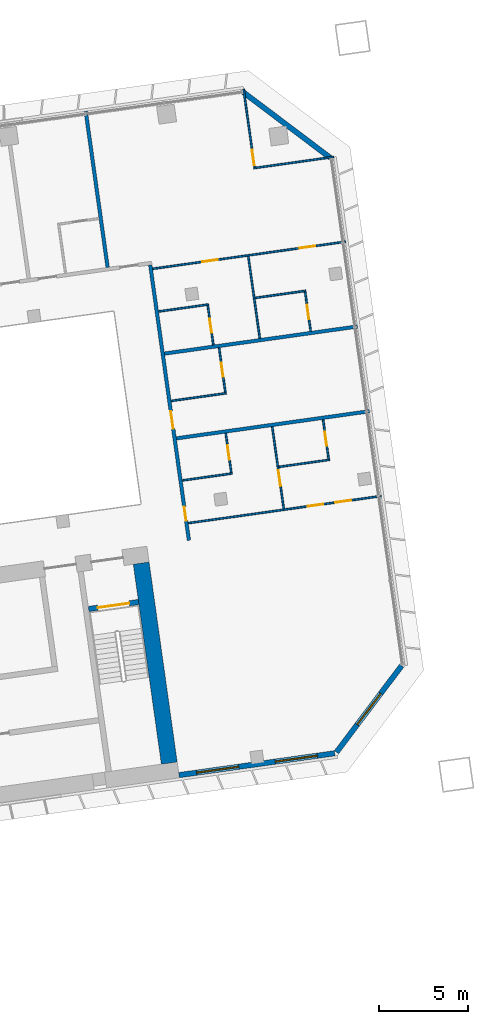
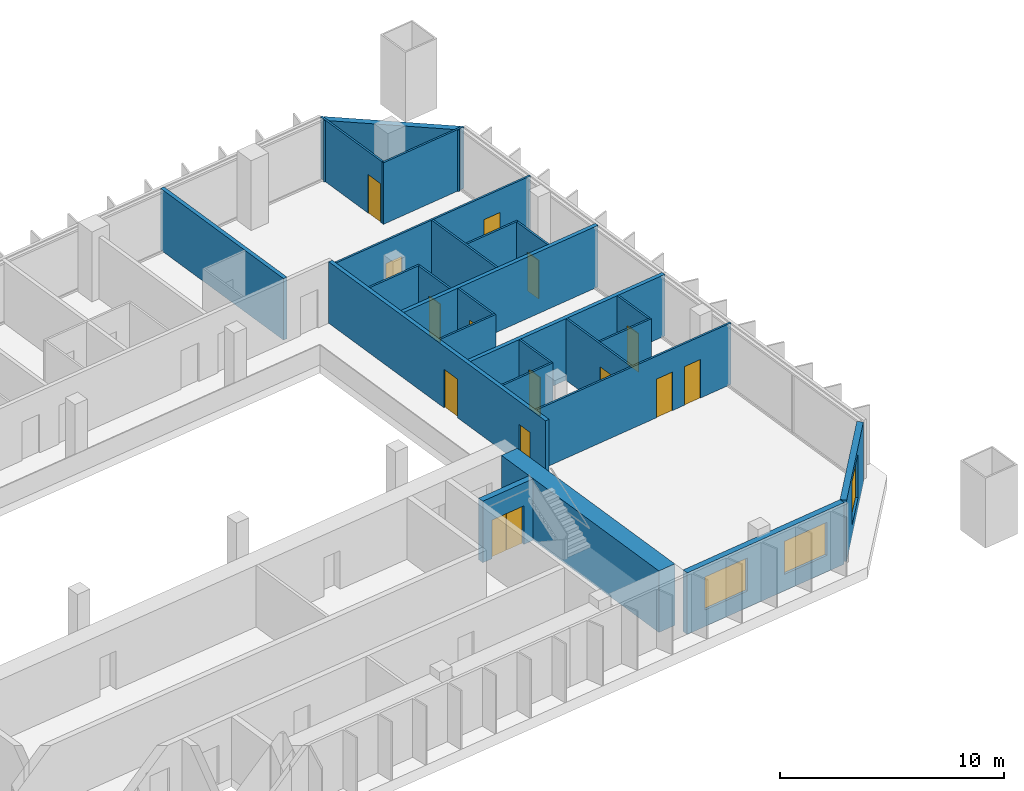
# One storey, part 22 of 25: 25 walls, 14 doors, 3 windows, 17 openings.
"""IFC4 building model written with IfcOpenShell, lengths in metres."""

import ifcopenshell
import ifcopenshell.guid

model = None  # the IFC model being written
_history = None  # IfcOwnerHistory: only IFC2X3 demands one
_inside = {}  # id of a spatial element -> (the spatial element, [elements in it])
_under = {}  # id of a project, library or spatial element -> (it, [spatial elements below it])
_declared = {}  # id of a project -> (the project, [libraries it declares])
_typed = {}  # id of a type object -> (the type object, [elements of that type])
_made_of = {}  # id of a material, layer set ... -> (it, [elements and type objects made of it])


def new_model(schema):
    """Start an empty IFC model of exactly this schema.

    Asked for "IFC4X3", IfcOpenShell would pick the latest addendum, in which some entities
    have other attributes; the version numbers below select the first issue.
    IFC2X3 requires an IfcOwnerHistory on every rooted entity: one is made here for all.
    """
    global model, _history
    if schema == "IFC4X3":
        model = ifcopenshell.file(schema_version=(4, 3, 0, 0))
    else:
        model = ifcopenshell.file(schema=schema)
    _inside.clear()
    _under.clear()
    _declared.clear()
    _typed.clear()
    _made_of.clear()
    _history = None
    if model.schema == "IFC2X3":
        org = make("IfcOrganization", Name="unknown")
        user = make(
            "IfcPersonAndOrganization",
            ThePerson=make("IfcPerson", FamilyName="unknown"),
            TheOrganization=org,
        )
        app = make(
            "IfcApplication",
            ApplicationDeveloper=org,
            Version="unknown",
            ApplicationFullName="unknown",
            ApplicationIdentifier="unknown",
        )
        _history = make(
            "IfcOwnerHistory",
            OwningUser=user,
            OwningApplication=app,
            ChangeAction="ADDED",
            CreationDate=0,
        )
    return model


def make(cls, **values):
    """One entity of the class cls with the attributes given. An attribute that is None is left unset."""
    return model.create_entity(
        cls, **{name: value for name, value in values.items() if value is not None}
    )


def rooted(cls, **values):
    """An entity with a GlobalId (a new one), such as an element, a storey or a relation."""
    return make(cls, GlobalId=ifcopenshell.guid.new(), OwnerHistory=_history, **values)


def si_unit(unit_type, name, prefix=None):
    """IfcSIUnit, for example si_unit("LENGTHUNIT", "METRE", prefix="MILLI")."""
    return make("IfcSIUnit", UnitType=unit_type, Prefix=prefix, Name=name)


def assignment(units):
    """IfcUnitAssignment: the units of a project."""
    return None if units is None else make("IfcUnitAssignment", Units=units)


def point(xyz):
    """IfcCartesianPoint."""
    return None if xyz is None else make("IfcCartesianPoint", Coordinates=xyz)


def direction(xyz):
    """IfcDirection."""
    return None if xyz is None else make("IfcDirection", DirectionRatios=xyz)


def frame(location, z_axis=None, x_axis=None):
    """IfcAxis2Placement3D, a coordinate frame: its origin and axes. An axis left out is left unset."""
    return make(
        "IfcAxis2Placement3D",
        Location=point(location),
        Axis=direction(z_axis),
        RefDirection=direction(x_axis),
    )


def frame_2d(location, x_axis=None):
    """IfcAxis2Placement2D, a coordinate frame in the plane: its origin and x axis."""
    return make(
        "IfcAxis2Placement2D", Location=point(location), RefDirection=direction(x_axis)
    )


def origin():
    """The frame at (0, 0, 0) with its axes left unset."""
    return frame((0.0, 0.0, 0.0))


def place(relative_to, where):
    """IfcLocalPlacement: puts the frame where relative to a parent placement (None: the world)."""
    return make(
        "IfcLocalPlacement", PlacementRelTo=relative_to, RelativePlacement=where
    )


def context(
    kind, dimensions, precision=None, world=None, true_north=None, identifier=None
):
    """IfcGeometricRepresentationContext, for example the 3D "Model" context."""
    return make(
        "IfcGeometricRepresentationContext",
        ContextIdentifier=identifier,
        ContextType=kind,
        CoordinateSpaceDimension=dimensions,
        Precision=precision,
        WorldCoordinateSystem=world,
        TrueNorth=true_north,
    )


def subcontext(parent, identifier, kind, view, scale=None):
    """IfcGeometricRepresentationSubContext, for example "Body" below "Model"."""
    return make(
        "IfcGeometricRepresentationSubContext",
        ContextIdentifier=identifier,
        ContextType=kind,
        ParentContext=parent,
        TargetScale=scale,
        TargetView=view,
    )


def project(units=None, contexts=None):
    """IfcProject with its units and contexts."""
    return rooted(
        "IfcProject",
        Name="project",
        RepresentationContexts=contexts,
        UnitsInContext=assignment(units),
    )


def spatial(cls, under=None, at=None, **own):
    """A site, building, storey or space (cls), placed at a placement, below another one or the project."""
    s = rooted(cls, ObjectPlacement=at, **own)
    if under is not None:
        _under.setdefault(under.id(), (under, []))[1].append(s)
    return s


def profile(cls, at=None, kind="AREA", **sizes):
    """A parametric profile (cls). Its sizes go by their IFC names, for example OverallWidth=200.0."""
    return make(cls, ProfileType=kind, Position=at, **sizes)


def rectangle(**sizes):
    """IfcRectangleProfileDef."""
    return profile("IfcRectangleProfileDef", **sizes)


def extrude(swept, where, along, depth):
    """IfcExtrudedAreaSolid: the profile swept, set in the frame where, extruded along a direction by depth."""
    return make(
        "IfcExtrudedAreaSolid",
        SweptArea=swept,
        Position=where,
        ExtrudedDirection=direction(along),
        Depth=depth,
    )


def shape(context_of_items, identifier, shape_type, items):
    """IfcShapeRepresentation: the items that make up one representation, for example the "Body"."""
    return make(
        "IfcShapeRepresentation",
        ContextOfItems=context_of_items,
        RepresentationIdentifier=identifier,
        RepresentationType=shape_type,
        Items=items,
    )


def material(Name=None, Category=None):
    """IfcMaterial."""
    return make("IfcMaterial", Name=Name, Category=Category)


def layer(
    of_material, thickness, ventilated=None, Name=None, Category=None, Priority=None
):
    """IfcMaterialLayer: one layer of a wall or slab, of a material (None: an air gap)."""
    return make(
        "IfcMaterialLayer",
        Material=of_material,
        LayerThickness=thickness,
        IsVentilated=ventilated,
        Name=Name,
        Category=Category,
        Priority=Priority,
    )


def layer_set(layers, Name=None):
    """IfcMaterialLayerSet."""
    return make("IfcMaterialLayerSet", MaterialLayers=layers, LayerSetName=Name)


def made_of(thing, what):
    """Note that an element or type object is made of a material, layer set ...; save() writes the relation."""
    if what is not None:
        _made_of.setdefault(what.id(), (what, []))[1].append(thing)
    return thing


def type_object(cls, material=None, **own):
    """A type object (cls), such as IfcWallType, which elements share."""
    return made_of(rooted(cls, **own), material)


def element(
    cls,
    number,
    at=None,
    inside=None,
    cuts=None,
    type_object=None,
    material=None,
    context=None,
    identifier="Body",
    shape_type=None,
    held_by="IfcProductDefinitionShape",
    body=None,
    shapes=None,
    **own,
):
    """One element of the class cls, such as IfcWall. Its Tag is "e" and its number.

    at: its placement. inside: the storey or other place that contains it. cuts: it is an
    opening in that element (IfcRelVoidsElement). A single representation is given by context,
    identifier, shape_type and body (its items); several are given by shapes. held_by: the class
    of the entity that holds the representations. save() writes the other relations.
    """
    e = rooted(cls, Tag="e%d" % number, ObjectPlacement=at, **own)
    if body is not None:
        shapes = [shape(context, identifier, shape_type, body)]
    if shapes is not None:
        e.Representation = make(held_by, Representations=shapes)
    if inside is not None:
        _inside.setdefault(inside.id(), (inside, []))[1].append(e)
    if cuts is not None:
        rooted(
            "IfcRelVoidsElement", RelatingBuildingElement=cuts, RelatedOpeningElement=e
        )
    if type_object is not None:
        _typed.setdefault(type_object.id(), (type_object, []))[1].append(e)
    return made_of(e, material)


def fill(opening, filler):
    """IfcRelFillsElement: the door or window that sits in an opening."""
    return rooted(
        "IfcRelFillsElement",
        RelatingOpeningElement=opening,
        RelatedBuildingElement=filler,
    )


def aggregate(whole, parts):
    """IfcRelAggregates: a whole, such as a stair, and the parts it consists of."""
    return rooted("IfcRelAggregates", RelatingObject=whole, RelatedObjects=parts)


def save(model, path):
    """Write the relations noted so far, then the file.

    IfcRelAggregates (storeys below a building ...), IfcRelContainedInSpatialStructure (elements
    in a storey), IfcRelDefinesByType, IfcRelAssociatesMaterial and IfcRelDeclares: one each for
    every whole, place, type object, material and project.
    """
    for whole, parts in _under.values():
        aggregate(whole, parts)
    for where, things in _inside.values():
        rooted(
            "IfcRelContainedInSpatialStructure",
            RelatedElements=things,
            RelatingStructure=where,
        )
    for kind, things in _typed.values():
        rooted("IfcRelDefinesByType", RelatedObjects=things, RelatingType=kind)
    for what, things in _made_of.values():
        rooted("IfcRelAssociatesMaterial", RelatedObjects=things, RelatingMaterial=what)
    for by, libraries in _declared.values():
        rooted("IfcRelDeclares", RelatingContext=by, RelatedDefinitions=libraries)
    model.write(path)


model = new_model("IFC4")

# Units and contexts
model_context = context("Model", 3, precision=1e-05, world=origin(), true_north=direction((0.0, 1.0)))
body_context = subcontext(model_context, "Body", "Model", "MODEL_VIEW")
ifc_project = project(units=[si_unit("LENGTHUNIT", "METRE"), si_unit("AREAUNIT", "SQUARE_METRE"), si_unit("VOLUMEUNIT", "CUBIC_METRE"), si_unit("PLANEANGLEUNIT", "RADIAN"), si_unit("MASSUNIT", "GRAM", prefix="KILO")], contexts=[model_context])

# Site, building, storey
site_placement = place(None, origin())
site = spatial("IfcSite", under=ifc_project, at=site_placement, CompositionType="ELEMENT")
building_placement = place(site_placement, origin())
building = spatial("IfcBuilding", under=site, at=building_placement, Name="Mirante Cascada Hotel Towers", CompositionType="ELEMENT")
storey_placement = place(building_placement, frame((0.0, 0.0, 69.9)))
storey = spatial("IfcBuildingStorey", under=building, at=storey_placement, Name="L14", CompositionType="ELEMENT", Elevation=69.9)

# Walls
ifc_material_1 = material(Name="Fire-rated plasterboard on metal studs")
ifc_layer_1 = layer(ifc_material_1, 0.2)
ifc_layer_set_1 = layer_set([ifc_layer_1], Name="Compartment wall 200 EI 120")
wall_type_1 = type_object("IfcWallType", Name="Compartment wall 200 EI 120", PredefinedType="PARTITIONING", material=ifc_layer_set_1)
for number, where, z_axis, x_axis, name in (
    (1, (90.4064, 6.4896, 0.0), (0.0, 0.0, 1.0), (0.990268, 0.1391733, 0.0), "Wall 2-L14-07"),
    (2, (100.6266, 12.8067, 0.0), (0.0, 0.0, 1.0), (-0.990268, -0.1391733, 0.0), "Wall 2-L14-12"),
):
    element("IfcWall", number, at=place(storey_placement, frame(where, z_axis=z_axis, x_axis=x_axis)), inside=storey, type_object=wall_type_1, Name=name, PredefinedType="PARTITIONING", context=body_context, shape_type="SweptSolid", body=[
        extrude(rectangle(XDim=11.0, YDim=0.2, at=frame_2d((5.5, 0.0))), origin(), (0.0, 0.0, 1.0), 3.35),
    ])
wall_1_placement = place(storey_placement, frame((86.525, 16.1433, 0.0), z_axis=(0.0, 0.0, 1.0), x_axis=(-0.1391684, 0.9902687, 0.0)))
element("IfcWall", 3, at=wall_1_placement, inside=storey, type_object=wall_type_1, Name="Wall 2-L14-51", PredefinedType="PARTITIONING", context=body_context, shape_type="SweptSolid", body=[
    extrude(rectangle(XDim=8.9, YDim=0.2, at=frame_2d((4.45, 0.0))), origin(), (0.0, 0.0, 1.0), 3.35),
])

# Wall, openings, doors
wall_2_placement = place(storey_placement, frame((88.9295, 16.2793, 0.0), z_axis=(0.0, 0.0, 1.0), x_axis=(0.1391721, -0.9902682, 0.0)))
wall_2 = element("IfcWall", 4, at=wall_2_placement, inside=storey, type_object=wall_type_1, Name="Wall 2-L14-52", PredefinedType="PARTITIONING", context=body_context, shape_type="SweptSolid", body=[
    extrude(rectangle(XDim=15.7, YDim=0.2, at=frame_2d((7.85, 0.0))), origin(), (0.0, 0.0, 1.0), 3.35),
])
opening_1_placement = place(wall_2_placement, frame((13.7833, 0.0, 0.0)))
opening_1 = element("IfcOpeningElement", 5, at=opening_1_placement, cuts=wall_2, Name="Opening D2-L14-34", PredefinedType="OPENING", context=body_context, shape_type="SweptSolid", body=[
    extrude(rectangle(XDim=0.8, YDim=2.1, at=frame_2d((0.4, 1.05))), frame((0.0, 0.1, 0.0), z_axis=(0.0, -1.0, 0.0), x_axis=(1.0, 0.0, 0.0)), (0.0, 0.0, 1.0), 0.2),
])
opening_2_placement = place(wall_2_placement, frame((8.3333, 0.0, 0.0)))
opening_2 = element("IfcOpeningElement", 6, at=opening_2_placement, cuts=wall_2, Name="Opening D2-L14-35", PredefinedType="OPENING", context=body_context, shape_type="SweptSolid", body=[
    extrude(rectangle(XDim=1.0, YDim=2.1, at=frame_2d((0.5, 1.05))), frame((0.0, 0.1, 0.0), z_axis=(0.0, -1.0, 0.0), x_axis=(1.0, 0.0, 0.0)), (0.0, 0.0, 1.0), 0.2),
])
ifc_material_2 = material(Name="Fire-rated timber door leaf", Category="wood")
door_type_1 = type_object("IfcDoorType", Name="Bathroom door DG4 800x2100 EI 60", OperationType="SINGLE_SWING_LEFT", PredefinedType="DOOR", material=ifc_material_2)
door_1_placement = place(opening_1_placement, frame((0.8, 0.0, 0.0), z_axis=(0.0, 0.0, 1.0), x_axis=(-1.0, 0.0, 0.0)))
door_1 = element("IfcDoor", 7, at=door_1_placement, inside=storey, type_object=door_type_1, Name="Door D2-L14-34", OperationType="SINGLE_SWING_RIGHT", OverallHeight=2.1, OverallWidth=0.8, PredefinedType="DOOR", context=body_context, shape_type="SweptSolid", body=[
    extrude(rectangle(XDim=0.8, YDim=2.1, at=frame_2d((0.4, 1.05))), frame((0.0, 0.025, 0.0), z_axis=(0.0, -1.0, 0.0), x_axis=(1.0, 0.0, 0.0)), (0.0, 0.0, 1.0), 0.05),
])
fill(opening_1, door_1)
ifc_material_3 = material(Name="Fire-rated timber door leaf", Category="wood")
door_type_2 = type_object("IfcDoorType", Name="Entrance door DG1 1000x2100 EI 60", OperationType="SINGLE_SWING_LEFT", PredefinedType="DOOR", material=ifc_material_3)
door_2_placement = place(opening_2_placement, origin())
door_2 = element("IfcDoor", 8, at=door_2_placement, inside=storey, type_object=door_type_2, Name="Door D2-L14-35", OperationType="SINGLE_SWING_LEFT", OverallHeight=2.1, OverallWidth=1.0, PredefinedType="DOOR", context=body_context, shape_type="SweptSolid", body=[
    extrude(rectangle(XDim=1.0, YDim=2.1, at=frame_2d((0.5, 1.05))), frame((0.0, 0.025, 0.0), z_axis=(0.0, -1.0, 0.0), x_axis=(1.0, 0.0, 0.0)), (0.0, 0.0, 1.0), 0.05),
])
fill(opening_2, door_2)

ifc_material_4 = material(Name="Plasterboard on metal studs")
ifc_layer_2 = layer(ifc_material_4, 0.1)
ifc_layer_set_2 = layer_set([ifc_layer_2], Name="Partition 100")
wall_type_2 = type_object("IfcWallType", Name="Partition 100", PredefinedType="PARTITIONING", material=ifc_layer_set_2)
wall_3_placement = place(storey_placement, frame((101.972, 3.2342, 0.0), z_axis=(0.0, 0.0, 1.0), x_axis=(-0.9902682, -0.1391721, 0.0)))
wall_3 = element("IfcWall", 9, at=wall_3_placement, inside=storey, type_object=wall_type_2, Name="Wall 2-L14-02", PredefinedType="PARTITIONING", context=body_context, shape_type="SweptSolid", body=[
    extrude(rectangle(XDim=11.0001, YDim=0.1, at=frame_2d((5.5, 0.0))), origin(), (0.0, 0.0, 1.0), 3.35),
])
opening_3_placement = place(wall_3_placement, frame((3.3, 0.0, 0.0)))
opening_3 = element("IfcOpeningElement", 10, at=opening_3_placement, cuts=wall_3, Name="Opening D2-L14-02", PredefinedType="OPENING", context=body_context, shape_type="SweptSolid", body=[
    extrude(rectangle(XDim=0.9, YDim=2.1, at=frame_2d((0.45, 1.05))), frame((0.0, 0.05, 0.0), z_axis=(0.0, -1.0, 0.0), x_axis=(1.0, 0.0, 0.0)), (0.0, 0.0, 1.0), 0.1),
])
opening_4_placement = place(wall_3_placement, frame((1.725, 0.0, 0.0)))
opening_4 = element("IfcOpeningElement", 11, at=opening_4_placement, cuts=wall_3, Name="Opening D2-L14-03", PredefinedType="OPENING", context=body_context, shape_type="SweptSolid", body=[
    extrude(rectangle(XDim=0.9, YDim=2.1, at=frame_2d((0.45, 1.05))), frame((0.0, 0.05, 0.0), z_axis=(0.0, -1.0, 0.0), x_axis=(1.0, 0.0, 0.0)), (0.0, 0.0, 1.0), 0.1),
])
ifc_material_5 = material(Name="Timber door leaf", Category="wood")
door_type_3 = type_object("IfcDoorType", Name="Room door DG3 900x2100", OperationType="SINGLE_SWING_LEFT", PredefinedType="DOOR", material=ifc_material_5)
door_3_placement = place(opening_3_placement, origin())
door_3 = element("IfcDoor", 12, at=door_3_placement, inside=storey, type_object=door_type_3, Name="Door D2-L14-02", OperationType="SINGLE_SWING_LEFT", OverallHeight=2.1, OverallWidth=0.9, PredefinedType="DOOR", context=body_context, shape_type="SweptSolid", body=[
    extrude(rectangle(XDim=0.9, YDim=2.1, at=frame_2d((0.45, 1.05))), frame((0.0, 0.025, 0.0), z_axis=(0.0, -1.0, 0.0), x_axis=(1.0, 0.0, 0.0)), (0.0, 0.0, 1.0), 0.05),
])
fill(opening_3, door_3)
door_4_placement = place(opening_4_placement, origin())
door_4 = element("IfcDoor", 13, at=door_4_placement, inside=storey, type_object=door_type_3, Name="Door D2-L14-03", OperationType="SINGLE_SWING_LEFT", OverallHeight=2.1, OverallWidth=0.9, PredefinedType="DOOR", context=body_context, shape_type="SweptSolid", body=[
    extrude(rectangle(XDim=0.9, YDim=2.1, at=frame_2d((0.45, 1.05))), frame((0.0, 0.025, 0.0), z_axis=(0.0, -1.0, 0.0), x_axis=(1.0, 0.0, 0.0)), (0.0, 0.0, 1.0), 0.05),
])
fill(opening_4, door_4)

# Walls
wall_4_placement = place(storey_placement, frame((93.5626, 4.5096, 0.0), z_axis=(0.0, 0.0, 1.0), x_axis=(-0.9902649, -0.1391957, 0.0)))
element("IfcWall", 14, at=wall_4_placement, inside=storey, type_object=wall_type_2, Name="Wall 2-L14-04", PredefinedType="PARTITIONING", context=body_context, shape_type="SweptSolid", body=[
    extrude(rectangle(XDim=2.8499, YDim=0.1, at=frame_2d((1.425, 0.0))), origin(), (0.0, 0.0, 1.0), 3.35),
])
wall_5_placement = place(storey_placement, frame((96.1868, 4.8784, 0.0), z_axis=(0.0, 0.0, 1.0), x_axis=(0.9902683, 0.1391714, 0.0)))
element("IfcWall", 15, at=wall_5_placement, inside=storey, type_object=wall_type_2, Name="Wall 2-L14-05", PredefinedType="PARTITIONING", context=body_context, shape_type="SweptSolid", body=[
    extrude(rectangle(XDim=2.9, YDim=0.1, at=frame_2d((1.45, 0.0))), origin(), (0.0, 0.0, 1.0), 3.35),
])
wall_6_placement = place(storey_placement, frame((93.2288, 9.0405, 0.0), z_axis=(0.0, 0.0, 1.0), x_axis=(-0.9902676, -0.1391765, 0.0)))
element("IfcWall", 16, at=wall_6_placement, inside=storey, type_object=wall_type_2, Name="Wall 2-L14-08", PredefinedType="PARTITIONING", context=body_context, shape_type="SweptSolid", body=[
    extrude(rectangle(XDim=3.15, YDim=0.1, at=frame_2d((1.575, 0.0))), origin(), (0.0, 0.0, 1.0), 3.35),
])
wall_7_placement = place(storey_placement, frame((89.3997, 13.6525, 0.0), z_axis=(0.0, 0.0, 1.0), x_axis=(0.9902697, 0.1391613, 0.0)))
element("IfcWall", 17, at=wall_7_placement, inside=storey, type_object=wall_type_2, Name="Wall 2-L14-15", PredefinedType="PARTITIONING", context=body_context, shape_type="SweptSolid", body=[
    extrude(rectangle(XDim=2.8499, YDim=0.1, at=frame_2d((1.425, 0.0))), origin(), (0.0, 0.0, 1.0), 3.35),
])
wall_8_placement = place(storey_placement, frame((97.7179, 14.8215, 0.0), z_axis=(0.0, 0.0, 1.0), x_axis=(-0.9902683, -0.1391714, 0.0)))
element("IfcWall", 18, at=wall_8_placement, inside=storey, type_object=wall_type_2, Name="Wall 2-L14-16", PredefinedType="PARTITIONING", context=body_context, shape_type="SweptSolid", body=[
    extrude(rectangle(XDim=2.9, YDim=0.1, at=frame_2d((1.45, 0.0))), origin(), (0.0, 0.0, 1.0), 3.35),
])

# Wall, openings, doors
wall_9_placement = place(storey_placement, frame((99.954, 17.5931, 0.0), z_axis=(0.0, 0.0, 1.0), x_axis=(-0.9902682, -0.1391721, 0.0)))
wall_9 = element("IfcWall", 19, at=wall_9_placement, inside=storey, type_object=wall_type_2, Name="Wall 2-L14-18", PredefinedType="PARTITIONING", context=body_context, shape_type="SweptSolid", body=[
    extrude(rectangle(XDim=11.0001, YDim=0.1, at=frame_2d((5.5, 0.0))), origin(), (0.0, 0.0, 1.0), 3.35),
])
opening_5_placement = place(wall_9_placement, frame((7.275, 0.0, 0.0)))
opening_5 = element("IfcOpeningElement", 20, at=opening_5_placement, cuts=wall_9, Name="Opening D2-L14-09", PredefinedType="OPENING", context=body_context, shape_type="SweptSolid", body=[
    extrude(rectangle(XDim=0.9, YDim=2.1, at=frame_2d((0.45, 1.05))), frame((0.0, 0.05, 0.0), z_axis=(0.0, -1.0, 0.0), x_axis=(1.0, 0.0, 0.0)), (0.0, 0.0, 1.0), 0.1),
])
opening_6_placement = place(wall_9_placement, frame((1.725, 0.0, 0.0)))
opening_6 = element("IfcOpeningElement", 21, at=opening_6_placement, cuts=wall_9, Name="Opening D2-L14-10", PredefinedType="OPENING", context=body_context, shape_type="SweptSolid", body=[
    extrude(rectangle(XDim=0.9, YDim=2.1, at=frame_2d((0.45, 1.05))), frame((0.0, 0.05, 0.0), z_axis=(0.0, -1.0, 0.0), x_axis=(1.0, 0.0, 0.0)), (0.0, 0.0, 1.0), 0.1),
])
door_5_placement = place(opening_5_placement, frame((0.9, 0.0, 0.0), z_axis=(0.0, 0.0, 1.0), x_axis=(-1.0, 0.0, 0.0)))
door_5 = element("IfcDoor", 22, at=door_5_placement, inside=storey, type_object=door_type_3, Name="Door D2-L14-09", OperationType="SINGLE_SWING_RIGHT", OverallHeight=2.1, OverallWidth=0.9, PredefinedType="DOOR", context=body_context, shape_type="SweptSolid", body=[
    extrude(rectangle(XDim=0.9, YDim=2.1, at=frame_2d((0.45, 1.05))), frame((0.0, 0.025, 0.0), z_axis=(0.0, -1.0, 0.0), x_axis=(1.0, 0.0, 0.0)), (0.0, 0.0, 1.0), 0.05),
])
fill(opening_5, door_5)
door_6_placement = place(opening_6_placement, frame((0.9, 0.0, 0.0), z_axis=(0.0, 0.0, 1.0), x_axis=(-1.0, 0.0, 0.0)))
door_6 = element("IfcDoor", 23, at=door_6_placement, inside=storey, type_object=door_type_3, Name="Door D2-L14-10", OperationType="SINGLE_SWING_RIGHT", OverallHeight=2.1, OverallWidth=0.9, PredefinedType="DOOR", context=body_context, shape_type="SweptSolid", body=[
    extrude(rectangle(XDim=0.9, YDim=2.1, at=frame_2d((0.45, 1.05))), frame((0.0, 0.025, 0.0), z_axis=(0.0, -1.0, 0.0), x_axis=(1.0, 0.0, 0.0)), (0.0, 0.0, 1.0), 0.05),
])
fill(opening_6, door_6)

# Wall
wall_10_placement = place(storey_placement, frame((99.2813, 22.3794, 0.0), z_axis=(0.0, 0.0, 1.0), x_axis=(-0.9902661, -0.1391871, 0.0)))
element("IfcWall", 24, at=wall_10_placement, inside=storey, type_object=wall_type_2, Name="Wall 2-L14-28", PredefinedType="PARTITIONING", context=body_context, shape_type="SweptSolid", body=[
    extrude(rectangle(XDim=4.55, YDim=0.1, at=frame_2d((2.275, 0.0))), origin(), (0.0, 0.0, 1.0), 3.35),
])

# Wall, opening, door
wall_11_placement = place(storey_placement, frame((93.5062, 4.5521, 0.0), z_axis=(0.0, 0.0, 1.0), x_axis=(-0.1391997, 0.9902643, 0.0)))
wall_11 = element("IfcWall", 25, at=wall_11_placement, inside=storey, type_object=wall_type_2, Name="Wall 2-L14-53", PredefinedType="PARTITIONING", context=body_context, shape_type="SweptSolid", body=[
    extrude(rectangle(XDim=2.25, YDim=0.1, at=frame_2d((1.125, 0.0))), origin(), (0.0, 0.0, 1.0), 3.35),
])
opening_7_placement = place(wall_11_placement, frame((0.75, 0.0, 0.0)))
opening_7 = element("IfcOpeningElement", 26, at=opening_7_placement, cuts=wall_11, Name="Opening D2-L14-36", PredefinedType="OPENING", context=body_context, shape_type="SweptSolid", body=[
    extrude(rectangle(XDim=0.8, YDim=2.1, at=frame_2d((0.4, 1.05))), frame((0.0, 0.05, 0.0), z_axis=(0.0, -1.0, 0.0), x_axis=(1.0, 0.0, 0.0)), (0.0, 0.0, 1.0), 0.1),
])
ifc_material_6 = material(Name="Timber door leaf", Category="wood")
door_type_4 = type_object("IfcDoorType", Name="Bathroom door DG4 800x2100", OperationType="SINGLE_SWING_LEFT", PredefinedType="DOOR", material=ifc_material_6)
door_7_placement = place(opening_7_placement, origin())
door_7 = element("IfcDoor", 27, at=door_7_placement, inside=storey, type_object=door_type_4, Name="Door D2-L14-36", OperationType="SINGLE_SWING_LEFT", OverallHeight=2.1, OverallWidth=0.8, PredefinedType="DOOR", context=body_context, shape_type="SweptSolid", body=[
    extrude(rectangle(XDim=0.8, YDim=2.1, at=frame_2d((0.4, 1.05))), frame((0.0, 0.025, 0.0), z_axis=(0.0, -1.0, 0.0), x_axis=(1.0, 0.0, 0.0)), (0.0, 0.0, 1.0), 0.05),
])
fill(opening_7, door_7)

wall_12_placement = place(storey_placement, frame((92.1794, 13.9926, 0.0), z_axis=(0.0, 0.0, 1.0), x_axis=(0.1391561, -0.9902705, 0.0)))
wall_12 = element("IfcWall", 28, at=wall_12_placement, inside=storey, type_object=wall_type_2, Name="Wall 2-L14-54", PredefinedType="PARTITIONING", context=body_context, shape_type="SweptSolid", body=[
    extrude(rectangle(XDim=2.25, YDim=0.1, at=frame_2d((1.125, 0.0))), origin(), (0.0, 0.0, 1.0), 3.35),
])
opening_8_placement = place(wall_12_placement, frame((0.75, 0.0, 0.0)))
opening_8 = element("IfcOpeningElement", 29, at=opening_8_placement, cuts=wall_12, Name="Opening D2-L14-37", PredefinedType="OPENING", context=body_context, shape_type="SweptSolid", body=[
    extrude(rectangle(XDim=0.8, YDim=2.1, at=frame_2d((0.4, 1.05))), frame((0.0, 0.05, 0.0), z_axis=(0.0, -1.0, 0.0), x_axis=(1.0, 0.0, 0.0)), (0.0, 0.0, 1.0), 0.1),
])
door_8_placement = place(opening_8_placement, frame((0.8, 0.0, 0.0), z_axis=(0.0, 0.0, 1.0), x_axis=(-1.0, 0.0, 0.0)))
door_8 = element("IfcDoor", 30, at=door_8_placement, inside=storey, type_object=door_type_4, Name="Door D2-L14-37", OperationType="SINGLE_SWING_RIGHT", OverallHeight=2.1, OverallWidth=0.8, PredefinedType="DOOR", context=body_context, shape_type="SweptSolid", body=[
    extrude(rectangle(XDim=0.8, YDim=2.1, at=frame_2d((0.4, 1.05))), frame((0.0, 0.025, 0.0), z_axis=(0.0, -1.0, 0.0), x_axis=(1.0, 0.0, 0.0)), (0.0, 0.0, 1.0), 0.05),
])
fill(opening_8, door_8)

wall_13_placement = place(storey_placement, frame((93.1723, 9.083, 0.0), z_axis=(0.0, 0.0, 1.0), x_axis=(-0.1391755, 0.9902677, 0.0)))
wall_13 = element("IfcWall", 31, at=wall_13_placement, inside=storey, type_object=wall_type_2, Name="Wall 2-L14-55", PredefinedType="PARTITIONING", context=body_context, shape_type="SweptSolid", body=[
    extrude(rectangle(XDim=2.55, YDim=0.1, at=frame_2d((1.275, 0.0))), origin(), (0.0, 0.0, 1.0), 3.35),
])
opening_9_placement = place(wall_13_placement, frame((0.9, 0.0, 0.0)))
opening_9 = element("IfcOpeningElement", 32, at=opening_9_placement, cuts=wall_13, Name="Opening D2-L14-38", PredefinedType="OPENING", context=body_context, shape_type="SweptSolid", body=[
    extrude(rectangle(XDim=0.8, YDim=2.1, at=frame_2d((0.4, 1.05))), frame((0.0, 0.05, 0.0), z_axis=(0.0, -1.0, 0.0), x_axis=(1.0, 0.0, 0.0)), (0.0, 0.0, 1.0), 0.1),
])
door_9_placement = place(opening_9_placement, frame((0.8, 0.0, 0.0), z_axis=(0.0, 0.0, 1.0), x_axis=(-1.0, 0.0, 0.0)))
door_9 = element("IfcDoor", 33, at=door_9_placement, inside=storey, type_object=door_type_4, Name="Door D2-L14-38", OperationType="SINGLE_SWING_RIGHT", OverallHeight=2.1, OverallWidth=0.8, PredefinedType="DOOR", context=body_context, shape_type="SweptSolid", body=[
    extrude(rectangle(XDim=0.8, YDim=2.1, at=frame_2d((0.4, 1.05))), frame((0.0, 0.025, 0.0), z_axis=(0.0, -1.0, 0.0), x_axis=(1.0, 0.0, 0.0)), (0.0, 0.0, 1.0), 0.05),
])
fill(opening_9, door_9)

wall_14_placement = place(storey_placement, frame((95.8172, 7.149, 0.0), z_axis=(0.0, 0.0, 1.0), x_axis=(0.139176, -0.9902677, 0.0)))
wall_14 = element("IfcWall", 34, at=wall_14_placement, inside=storey, type_object=wall_type_2, Name="Wall 2-L14-56", PredefinedType="PARTITIONING", context=body_context, shape_type="SweptSolid", body=[
    extrude(rectangle(XDim=4.6833, YDim=0.1, at=frame_2d((2.3416, 0.0))), origin(), (0.0, 0.0, 1.0), 3.35),
])
opening_10_placement = place(wall_14_placement, frame((2.4833, 0.0, 0.0)))
opening_10 = element("IfcOpeningElement", 35, at=opening_10_placement, cuts=wall_14, Name="Opening D2-L14-39", PredefinedType="OPENING", context=body_context, shape_type="SweptSolid", body=[
    extrude(rectangle(XDim=0.9, YDim=2.1, at=frame_2d((0.45, 1.05))), frame((0.0, 0.05, 0.0), z_axis=(0.0, -1.0, 0.0), x_axis=(1.0, 0.0, 0.0)), (0.0, 0.0, 1.0), 0.1),
])
door_10_placement = place(opening_10_placement, frame((0.9, 0.0, 0.0), z_axis=(0.0, 0.0, 1.0), x_axis=(-1.0, 0.0, 0.0)))
door_10 = element("IfcDoor", 36, at=door_10_placement, inside=storey, type_object=door_type_3, Name="Door D2-L14-39", OperationType="SINGLE_SWING_RIGHT", OverallHeight=2.1, OverallWidth=0.9, PredefinedType="DOOR", context=body_context, shape_type="SweptSolid", body=[
    extrude(rectangle(XDim=0.9, YDim=2.1, at=frame_2d((0.45, 1.05))), frame((0.0, 0.025, 0.0), z_axis=(0.0, -1.0, 0.0), x_axis=(1.0, 0.0, 0.0)), (0.0, 0.0, 1.0), 0.05),
])
fill(opening_10, door_10)

# Wall
wall_15_placement = place(storey_placement, frame((95.1167, 12.1333, 0.0), z_axis=(0.0, 0.0, 1.0), x_axis=(-0.1391701, 0.9902685, 0.0)))
element("IfcWall", 37, at=wall_15_placement, inside=storey, type_object=wall_type_2, Name="Wall 2-L14-57", PredefinedType="PARTITIONING", context=body_context, shape_type="SweptSolid", body=[
    extrude(rectangle(XDim=4.6835, YDim=0.1, at=frame_2d((2.3418, 0.0))), origin(), (0.0, 0.0, 1.0), 3.35),
])

# Wall, opening, door
wall_16_placement = place(storey_placement, frame((94.1988, 26.2093, 0.0), z_axis=(0.0, 0.0, 1.0), x_axis=(0.1391684, -0.9902687, 0.0)))
wall_16 = element("IfcWall", 38, at=wall_16_placement, inside=storey, type_object=wall_type_2, Name="Wall 2-L14-58", PredefinedType="PARTITIONING", context=body_context, shape_type="SweptSolid", body=[
    extrude(rectangle(XDim=4.45, YDim=0.1, at=frame_2d((2.225, 0.0))), origin(), (0.0, 0.0, 1.0), 3.35),
])
opening_11_placement = place(wall_16_placement, frame((3.45, 0.0, 0.0)))
opening_11 = element("IfcOpeningElement", 39, at=opening_11_placement, cuts=wall_16, Name="Opening D2-L14-40", PredefinedType="OPENING", context=body_context, shape_type="SweptSolid", body=[
    extrude(rectangle(XDim=0.9, YDim=2.1, at=frame_2d((0.45, 1.05))), frame((0.0, 0.05, 0.0), z_axis=(0.0, -1.0, 0.0), x_axis=(1.0, 0.0, 0.0)), (0.0, 0.0, 1.0), 0.1),
])
door_11_placement = place(opening_11_placement, frame((0.9, 0.0, 0.0), z_axis=(0.0, 0.0, 1.0), x_axis=(-1.0, 0.0, 0.0)))
door_11 = element("IfcDoor", 40, at=door_11_placement, inside=storey, type_object=door_type_3, Name="Door D2-L14-40", OperationType="SINGLE_SWING_RIGHT", OverallHeight=2.1, OverallWidth=0.9, PredefinedType="DOOR", context=body_context, shape_type="SweptSolid", body=[
    extrude(rectangle(XDim=0.9, YDim=2.1, at=frame_2d((0.45, 1.05))), frame((0.0, 0.025, 0.0), z_axis=(0.0, -1.0, 0.0), x_axis=(1.0, 0.0, 0.0)), (0.0, 0.0, 1.0), 0.05),
])
fill(opening_11, door_11)

wall_17_placement = place(storey_placement, frame((99.0021, 5.3245, 0.0), z_axis=(0.0, 0.0, 1.0), x_axis=(-0.1391561, 0.9902705, 0.0)))
wall_17 = element("IfcWall", 41, at=wall_17_placement, inside=storey, type_object=wall_type_2, Name="Wall 2-L14-59", PredefinedType="PARTITIONING", context=body_context, shape_type="SweptSolid", body=[
    extrude(rectangle(XDim=2.25, YDim=0.1, at=frame_2d((1.125, 0.0))), origin(), (0.0, 0.0, 1.0), 3.35),
])
opening_12_placement = place(wall_17_placement, frame((0.75, 0.0, 0.0)))
opening_12 = element("IfcOpeningElement", 42, at=opening_12_placement, cuts=wall_17, Name="Opening D2-L14-41", PredefinedType="OPENING", context=body_context, shape_type="SweptSolid", body=[
    extrude(rectangle(XDim=0.8, YDim=2.1, at=frame_2d((0.4, 1.05))), frame((0.0, 0.05, 0.0), z_axis=(0.0, -1.0, 0.0), x_axis=(1.0, 0.0, 0.0)), (0.0, 0.0, 1.0), 0.1),
])
door_12_placement = place(opening_12_placement, origin())
door_12 = element("IfcDoor", 43, at=door_12_placement, inside=storey, type_object=door_type_4, Name="Door D2-L14-41", OperationType="SINGLE_SWING_LEFT", OverallHeight=2.1, OverallWidth=0.8, PredefinedType="DOOR", context=body_context, shape_type="SweptSolid", body=[
    extrude(rectangle(XDim=0.8, YDim=2.1, at=frame_2d((0.4, 1.05))), frame((0.0, 0.025, 0.0), z_axis=(0.0, -1.0, 0.0), x_axis=(1.0, 0.0, 0.0)), (0.0, 0.0, 1.0), 0.05),
])
fill(opening_12, door_12)

wall_18_placement = place(storey_placement, frame((97.6754, 14.765, 0.0), z_axis=(0.0, 0.0, 1.0), x_axis=(0.1391561, -0.9902705, 0.0)))
wall_18 = element("IfcWall", 44, at=wall_18_placement, inside=storey, type_object=wall_type_2, Name="Wall 2-L14-60", PredefinedType="PARTITIONING", context=body_context, shape_type="SweptSolid", body=[
    extrude(rectangle(XDim=2.25, YDim=0.1, at=frame_2d((1.125, 0.0))), origin(), (0.0, 0.0, 1.0), 3.35),
])
opening_13_placement = place(wall_18_placement, frame((0.75, 0.0, 0.0)))
opening_13 = element("IfcOpeningElement", 45, at=opening_13_placement, cuts=wall_18, Name="Opening D2-L14-42", PredefinedType="OPENING", context=body_context, shape_type="SweptSolid", body=[
    extrude(rectangle(XDim=0.8, YDim=2.1, at=frame_2d((0.4, 1.05))), frame((0.0, 0.05, 0.0), z_axis=(0.0, -1.0, 0.0), x_axis=(1.0, 0.0, 0.0)), (0.0, 0.0, 1.0), 0.1),
])
door_13_placement = place(opening_13_placement, frame((0.8, 0.0, 0.0), z_axis=(0.0, 0.0, 1.0), x_axis=(-1.0, 0.0, 0.0)))
door_13 = element("IfcDoor", 46, at=door_13_placement, inside=storey, type_object=door_type_4, Name="Door D2-L14-42", OperationType="SINGLE_SWING_RIGHT", OverallHeight=2.1, OverallWidth=0.8, PredefinedType="DOOR", context=body_context, shape_type="SweptSolid", body=[
    extrude(rectangle(XDim=0.8, YDim=2.1, at=frame_2d((0.4, 1.05))), frame((0.0, 0.025, 0.0), z_axis=(0.0, -1.0, 0.0), x_axis=(1.0, 0.0, 0.0)), (0.0, 0.0, 1.0), 0.05),
])
fill(opening_13, door_13)

# Wall, openings, windows
ifc_material_7 = material(Name="Precast concrete C40/50", Category="concrete")
ifc_layer_3 = layer(ifc_material_7, 0.3)
ifc_layer_set_3 = layer_set([ifc_layer_3], Name="Precast concrete C40/50 cladding wall 300")
wall_type_3 = type_object("IfcWallType", Name="Precast concrete C40/50 cladding wall 300", PredefinedType="STANDARD", material=ifc_layer_set_3)
wall_19_placement = place(storey_placement, frame((90.5541, -12.5249, 0.0), z_axis=(0.0, 0.0, 1.0), x_axis=(0.9902676, 0.1391765, 0.0)))
wall_19 = element("IfcWall", 47, at=wall_19_placement, inside=storey, type_object=wall_type_3, Name="Rear cladding wall T2 L14 1", PredefinedType="STANDARD", context=body_context, shape_type="SweptSolid", body=[
    extrude(rectangle(XDim=8.8758, YDim=0.3, at=frame_2d((4.4379, 0.0))), origin(), (0.0, 0.0, 1.0), 3.35),
])
opening_14_placement = place(wall_19_placement, frame((1.0012, 0.0, 0.9)))
opening_14 = element("IfcOpeningElement", 48, at=opening_14_placement, cuts=wall_19, Name="Opening W2-14-01", PredefinedType="OPENING", context=body_context, shape_type="SweptSolid", body=[
    extrude(rectangle(XDim=2.4, YDim=1.8, at=frame_2d((1.2, 0.9))), frame((0.0, 0.15, 0.0), z_axis=(0.0, -1.0, 0.0), x_axis=(1.0, 0.0, 0.0)), (0.0, 0.0, 1.0), 0.3),
])
opening_15_placement = place(wall_19_placement, frame((5.4923, 0.0, 0.9)))
opening_15 = element("IfcOpeningElement", 49, at=opening_15_placement, cuts=wall_19, Name="Opening W2-14-02", PredefinedType="OPENING", context=body_context, shape_type="SweptSolid", body=[
    extrude(rectangle(XDim=2.4, YDim=1.8, at=frame_2d((1.2, 0.9))), frame((0.0, 0.15, 0.0), z_axis=(0.0, -1.0, 0.0), x_axis=(1.0, 0.0, 0.0)), (0.0, 0.0, 1.0), 0.3),
])
ifc_material_8 = material(Name="Aluminium frame with clear double glazing", Category="aluminium")
window_type_1 = type_object("IfcWindowType", Name="Punched window 2400x1800", PartitioningType="DOUBLE_PANEL_VERTICAL", PredefinedType="WINDOW", material=ifc_material_8)
window_1_placement = place(opening_14_placement, origin())
window_1 = element("IfcWindow", 50, at=window_1_placement, inside=storey, type_object=window_type_1, Name="Window W2-14-01", OverallHeight=1.8, OverallWidth=2.4, PartitioningType="SINGLE_PANEL", PredefinedType="WINDOW", context=body_context, shape_type="SweptSolid", body=[
    extrude(rectangle(XDim=2.4, YDim=1.8, at=frame_2d((1.2, 0.9))), frame((0.0, 0.03, 0.0), z_axis=(0.0, -1.0, 0.0), x_axis=(1.0, 0.0, 0.0)), (0.0, 0.0, 1.0), 0.06),
])
fill(opening_14, window_1)
window_2_placement = place(opening_15_placement, origin())
window_2 = element("IfcWindow", 51, at=window_2_placement, inside=storey, type_object=window_type_1, Name="Window W2-14-02", OverallHeight=1.8, OverallWidth=2.4, PartitioningType="SINGLE_PANEL", PredefinedType="WINDOW", context=body_context, shape_type="SweptSolid", body=[
    extrude(rectangle(XDim=2.4, YDim=1.8, at=frame_2d((1.2, 0.9))), frame((0.0, 0.03, 0.0), z_axis=(0.0, -1.0, 0.0), x_axis=(1.0, 0.0, 0.0)), (0.0, 0.0, 1.0), 0.06),
])
fill(opening_15, window_2)

# Wall, opening, window
wall_20_placement = place(storey_placement, frame((99.4424, -11.2313, 0.0), z_axis=(0.0, 0.0, 1.0), x_axis=(0.6018194, 0.7986322, 0.0)))
wall_20 = element("IfcWall", 52, at=wall_20_placement, inside=storey, type_object=wall_type_3, Name="Corner cladding wall T2 L14 rear outer", PredefinedType="STANDARD", context=body_context, shape_type="SweptSolid", body=[
    extrude(rectangle(XDim=6.1155, YDim=0.3, at=frame_2d((3.0578, 0.0))), origin(), (0.0, 0.0, 1.0), 3.35),
])
opening_16_placement = place(wall_20_placement, frame((1.9576, 0.0, 0.6)))
opening_16 = element("IfcOpeningElement", 53, at=opening_16_placement, cuts=wall_20, Name="Opening W2-14-03", PredefinedType="OPENING", context=body_context, shape_type="SweptSolid", body=[
    extrude(rectangle(XDim=2.2, YDim=2.4, at=frame_2d((1.1, 1.2))), frame((0.0, 0.15, 0.0), z_axis=(0.0, -1.0, 0.0), x_axis=(1.0, 0.0, 0.0)), (0.0, 0.0, 1.0), 0.3),
])
ifc_material_9 = material(Name="Aluminium frame with clear double glazing", Category="aluminium")
window_type_2 = type_object("IfcWindowType", Name="Corner suite window 2200x2400", PartitioningType="DOUBLE_PANEL_VERTICAL", PredefinedType="WINDOW", material=ifc_material_9)
window_3_placement = place(opening_16_placement, origin())
window_3 = element("IfcWindow", 54, at=window_3_placement, inside=storey, type_object=window_type_2, Name="Window W2-14-03", OverallHeight=2.4, OverallWidth=2.2, PartitioningType="SINGLE_PANEL", PredefinedType="WINDOW", context=body_context, shape_type="SweptSolid", body=[
    extrude(rectangle(XDim=2.2, YDim=2.4, at=frame_2d((1.1, 1.2))), frame((0.0, 0.03, 0.0), z_axis=(0.0, -1.0, 0.0), x_axis=(1.0, 0.0, 0.0)), (0.0, 0.0, 1.0), 0.06),
])
fill(opening_16, window_3)

# Wall
wall_21_placement = place(storey_placement, frame((99.0919, 22.3343, 0.0), z_axis=(0.0, 0.0, 1.0), x_axis=(-0.7986362, 0.6018141, 0.0)))
element("IfcWall", 55, at=wall_21_placement, inside=storey, type_object=wall_type_3, Name="Corner cladding wall T2 L14 outer front", PredefinedType="STANDARD", context=body_context, shape_type="SweptSolid", body=[
    extrude(rectangle(XDim=6.1157, YDim=0.3, at=frame_2d((3.0578, 0.0))), origin(), (0.0, 0.0, 1.0), 3.35),
])

# Wall, opening, door
ifc_material_10 = material(Name="Concrete C50/60", Category="concrete")
ifc_layer_4 = layer(ifc_material_10, 0.3)
ifc_layer_set_4 = layer_set([ifc_layer_4], Name="RC core wall 300 C50/60")
wall_type_4 = type_object("IfcWallType", Name="RC core wall 300 C50/60", PredefinedType="SHEAR", material=ifc_layer_set_4)
wall_22_placement = place(storey_placement, frame((85.4489, -3.1441, 0.0), z_axis=(0.0, 0.0, 1.0), x_axis=(0.9902697, 0.1391613, 0.0)))
wall_22 = element("IfcWall", 56, at=wall_22_placement, inside=storey, type_object=wall_type_4, Name="Core wall T2:L14:11", PredefinedType="SHEAR", context=body_context, shape_type="SweptSolid", body=[
    extrude(rectangle(XDim=2.8499, YDim=0.3, at=frame_2d((1.425, 0.0))), origin(), (0.0, 0.0, 1.0), 3.35),
])
opening_17_placement = place(wall_22_placement, frame((0.525, 0.0, 0.0)))
opening_17 = element("IfcOpeningElement", 57, at=opening_17_placement, cuts=wall_22, Name="Opening D2-14-C17", PredefinedType="OPENING", context=body_context, shape_type="SweptSolid", body=[
    extrude(rectangle(XDim=1.8, YDim=2.1, at=frame_2d((0.9, 1.05))), frame((0.0, 0.15, 0.0), z_axis=(0.0, -1.0, 0.0), x_axis=(1.0, 0.0, 0.0)), (0.0, 0.0, 1.0), 0.3),
])
ifc_material_11 = material(Name="Hollow metal fire door leaf")
door_type_5 = type_object("IfcDoorType", Name="Double fire door 1800x2100 FD60", OperationType="DOUBLE_DOOR_SINGLE_SWING", PredefinedType="DOOR", material=ifc_material_11)
door_14_placement = place(opening_17_placement, frame((1.8, 0.0, 0.0), z_axis=(0.0, 0.0, 1.0), x_axis=(-1.0, 0.0, 0.0)))
door_14 = element("IfcDoor", 58, at=door_14_placement, inside=storey, type_object=door_type_5, Name="Stair door T2 L14 17", OperationType="DOUBLE_DOOR_SINGLE_SWING", OverallHeight=2.1, OverallWidth=1.8, PredefinedType="DOOR", context=body_context, shape_type="SweptSolid", body=[
    extrude(rectangle(XDim=0.895, YDim=2.1, at=frame_2d((0.4475, 1.05))), frame((0.0, 0.025, 0.0), z_axis=(0.0, -1.0, 0.0), x_axis=(1.0, 0.0, 0.0)), (0.0, 0.0, 1.0), 0.05),
    extrude(rectangle(XDim=0.895, YDim=2.1, at=frame_2d((1.3525, 1.05))), frame((0.0, 0.025, 0.0), z_axis=(0.0, -1.0, 0.0), x_axis=(1.0, 0.0, 0.0)), (0.0, 0.0, 1.0), 0.05),
])
fill(opening_17, door_14)

# Wall
ifc_material_12 = material(Name="Concrete C50/60", Category="concrete")
ifc_layer_5 = layer(ifc_material_12, 0.9)
ifc_layer_set_5 = layer_set([ifc_layer_5], Name="RC core wall 900 C50/60")
wall_type_5 = type_object("IfcWallType", Name="RC core wall 900 C50/60", PredefinedType="SHEAR", material=ifc_layer_set_5)
wall_23_placement = place(storey_placement, frame((90.0041, -11.8449, 0.0), z_axis=(0.0, 0.0, 1.0), x_axis=(-0.1391749, 0.9902678, 0.0)))
element("IfcWall", 59, at=wall_23_placement, inside=storey, type_object=wall_type_5, Name="Core wall T2:L14:4", PredefinedType="SHEAR", context=body_context, shape_type="SweptSolid", body=[
    extrude(rectangle(XDim=11.4, YDim=0.9, at=frame_2d((5.7, 0.0))), origin(), (0.0, 0.0, 1.0), 3.35),
])

save(model, "model.ifc")
